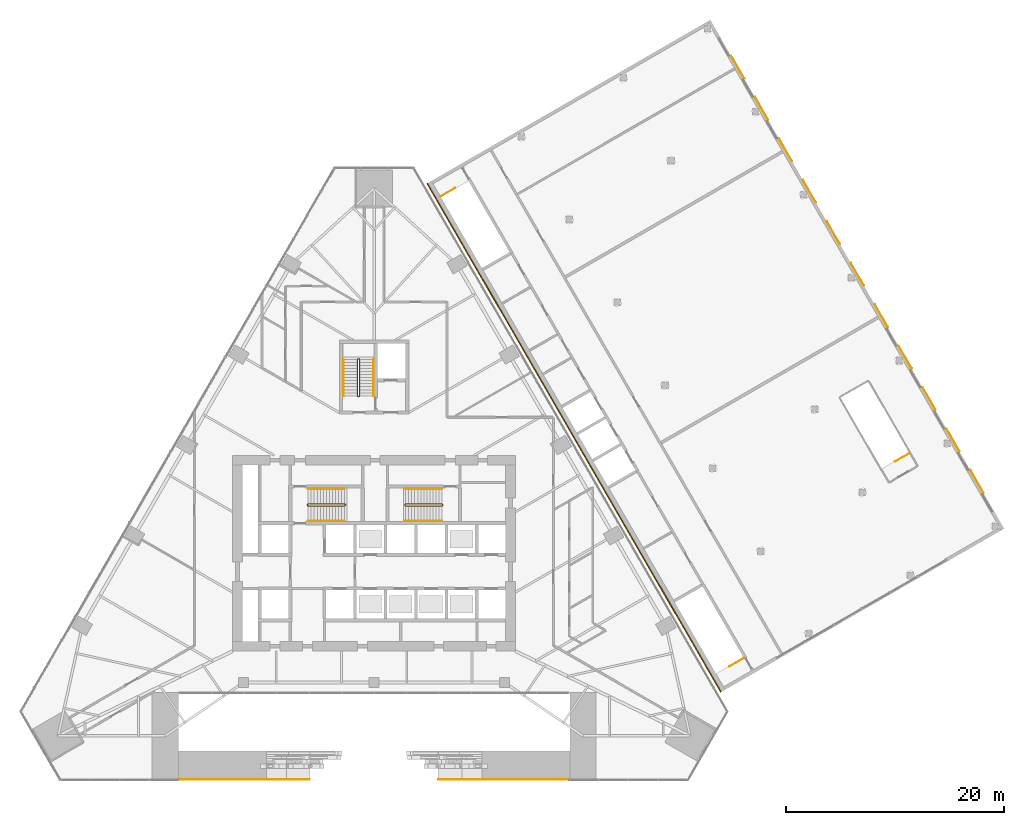
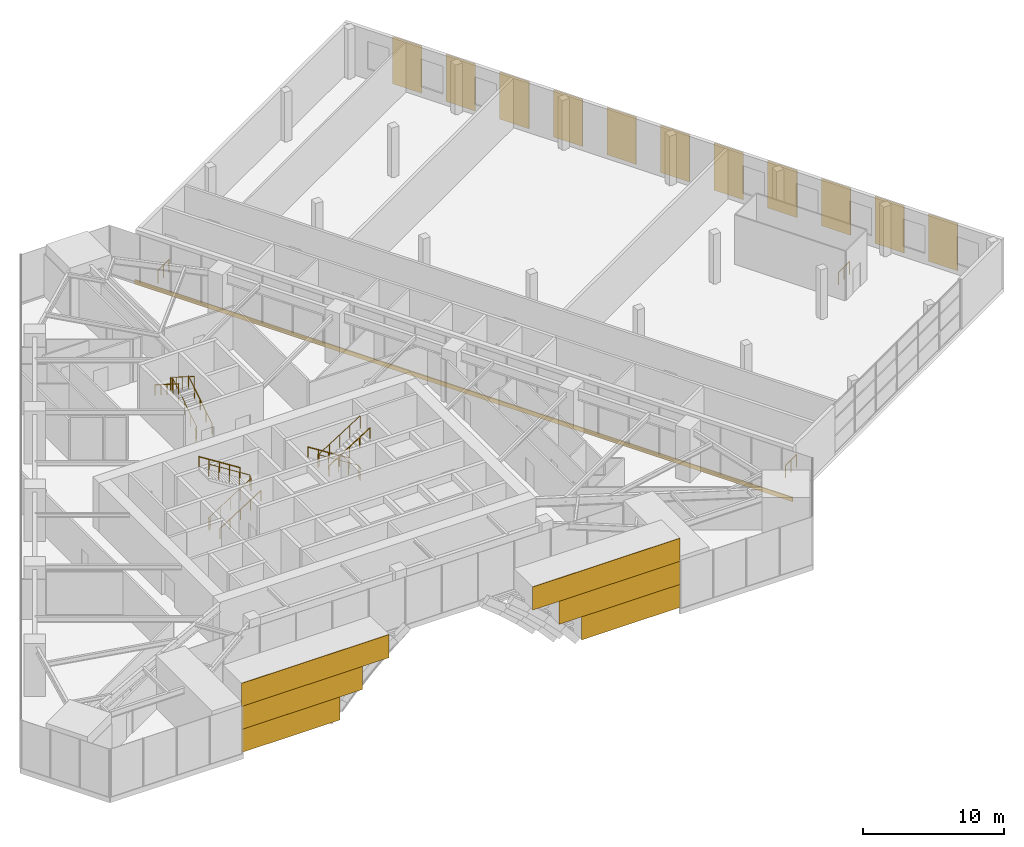
# One storey, part 22 of 23: 18 coverings, 12 railings.
"""IFC4 building model written with IfcOpenShell, lengths in metres."""

from ifc_helpers import new_model, si_unit, direction, frame, origin, origin_2d, place, context, subcontext, project, spatial, polyline, rectangle, circle, outline, extrude, material, layer, layer_set, type_object, element, save


model = new_model("IFC4")

# Units and contexts
model_context = context("Model", 3, precision=1e-05, world=origin(), true_north=direction((0.0, 1.0)))
body_context = subcontext(model_context, "Body", "Model", "MODEL_VIEW")
ifc_project = project(units=[si_unit("LENGTHUNIT", "METRE"), si_unit("AREAUNIT", "SQUARE_METRE"), si_unit("VOLUMEUNIT", "CUBIC_METRE"), si_unit("PLANEANGLEUNIT", "RADIAN"), si_unit("MASSUNIT", "GRAM", prefix="KILO")], contexts=[model_context])

# Site, building, storey
site_placement = place(None, origin())
site = spatial("IfcSite", under=ifc_project, at=site_placement, CompositionType="ELEMENT")
building_placement = place(site_placement, origin())
building = spatial("IfcBuilding", under=site, at=building_placement, Name="Firuza Gate Tower and Library", CompositionType="ELEMENT")
storey_placement = place(building_placement, frame((0.0, 0.0, 21.800048828125)))
storey = spatial("IfcBuildingStorey", under=building, at=storey_placement, Name="L04", CompositionType="ELEMENT", Elevation=21.800048828125)

# Coverings
ifc_material_1 = material(Name="Glazed ceramic tile")
ifc_layer_1 = layer(ifc_material_1, 0.0400390625)
ifc_layer_set_1 = layer_set([ifc_layer_1], Name="Glazed tile cladding 40")
covering_type_1 = type_object("IfcCoveringType", Name="Glazed tile cladding 40", PredefinedType="CLADDING", material=ifc_layer_set_1)
for number, where, z_axis, x_axis, name in (
    (1, (57.0, 54.17529296875, 0.199951171875), (0.0, -1.0, 0.0), (1.0, 0.0, 0.0), "Gate tile 21"),
    (2, (84.906005859375, 54.17529296875, 0.199951171875), (0.0, -1.0, 0.0), (1.0, 0.0, 0.0), "Gate tile 22"),
):
    element("IfcCovering", number, at=place(storey_placement, frame(where, z_axis=z_axis, x_axis=x_axis)), inside=storey, type_object=covering_type_1, Name=name, PredefinedType="CLADDING", context=body_context, shape_type="SweptSolid", body=[
        extrude(outline(polyline([(0.0, 0.0), (8.093994140625, 0.0), (8.093994140625, 2.0), (0.0, 2.0), (0.0, 0.0)])), origin(), (0.0, 0.0, -1.0), 0.0400390625),
    ])
for number, where, z_axis, x_axis, name in (
    (3, (57.0, 54.17529296875, 2.199951171875), (0.0, -1.0, 0.0), (1.0, 0.0, 0.0), "Gate tile 23"),
    (4, (83.06982421875, 54.17529296875, 2.199951171875), (0.0, -1.0, 0.0), (1.0, 0.0, 0.0), "Gate tile 24"),
):
    element("IfcCovering", number, at=place(storey_placement, frame(where, z_axis=z_axis, x_axis=x_axis)), inside=storey, type_object=covering_type_1, Name=name, PredefinedType="CLADDING", context=body_context, shape_type="SweptSolid", body=[
        extrude(outline(polyline([(0.0, 0.0), (9.93017578125, 0.0), (9.93017578125, 2.0), (0.0, 2.0), (0.0, 0.0)])), origin(), (0.0, 0.0, -1.0), 0.0400390625),
    ])
for number, where, z_axis, x_axis, name in (
    (5, (57.0, 54.17529296875, 4.199951171875), (0.0, -1.0, 0.0), (1.0, 0.0, 0.0), "Gate tile 25"),
    (6, (80.890625, 54.17529296875, 4.199951171875), (0.0, -1.0, 0.0), (1.0, 0.0, 0.0), "Gate tile 26"),
):
    element("IfcCovering", number, at=place(storey_placement, frame(where, z_axis=z_axis, x_axis=x_axis)), inside=storey, type_object=covering_type_1, Name=name, PredefinedType="CLADDING", context=body_context, shape_type="SweptSolid", body=[
        extrude(outline(polyline([(0.0, 0.0), (12.109375, 0.0), (12.109375, 2.0), (0.0, 2.0), (0.0, 0.0)])), origin(), (0.0, 0.0, -1.0), 0.0400390625),
    ])

# Railings
ifc_material_2 = material(Name="Steel S355", Category="steel")
railing_type_1 = type_object("IfcRailingType", Name="LIB GUARD", PredefinedType="GUARDRAIL", material=ifc_material_2)
railing_1_placement = place(storey_placement, frame((81.1044921875, 107.796142578125, 0.0)))
element("IfcRailing", 7, at=railing_1_placement, inside=storey, type_object=railing_type_1, Name="L04 LIB-ST-A top well guard 1", PredefinedType="GUARDRAIL", context=body_context, shape_type="SweptSolid", body=[
    extrude(circle(Radius=0.02392578125, at=origin_2d()), frame((0.0, 0.0, 1.076171875), z_axis=(0.866043940782, 0.499967891604, 0.0), x_axis=(-0.499967891604, 0.866043940782, 0.0)), (0.0, 0.0, 1.0), 1.5498046875),
    extrude(circle(Radius=0.02099609375, at=origin_2d()), origin(), (0.0, 0.0, 1.0), 1.052001953125),
    extrude(circle(Radius=0.02099609375, at=origin_2d()), frame((0.671142578125, 0.387451171875, 0.0)), (0.0, 0.0, 1.0), 1.052001953125),
    extrude(circle(Radius=0.02099609375, at=origin_2d()), frame((1.34228515625, 0.77490234375, 0.0)), (0.0, 0.0, 1.0), 1.052001953125),
])
railing_2_placement = place(storey_placement, frame((109.00927734375, 65.363525390625, 0.0)))
element("IfcRailing", 8, at=railing_2_placement, inside=storey, type_object=railing_type_1, Name="L04 LIB-ST-B top well guard 1", PredefinedType="GUARDRAIL", context=body_context, shape_type="SweptSolid", body=[
    extrude(circle(Radius=0.02392578125, at=origin_2d()), frame((0.0, 0.0, 1.076171875), z_axis=(-0.866083307622, -0.499899694197, 0.0), x_axis=(0.499899694197, -0.866083307622, 0.0)), (0.0, 0.0, 1.0), 1.550048828125),
    extrude(circle(Radius=0.02099609375, at=origin_2d()), origin(), (0.0, 0.0, 1.0), 1.052001953125),
    extrude(circle(Radius=0.02099609375, at=origin_2d()), frame((-0.67138671875, -0.387451171875, 0.0)), (0.0, 0.0, 1.0), 1.052001953125),
    extrude(circle(Radius=0.02099609375, at=origin_2d()), frame((-1.342529296875, -0.77490234375, 0.0)), (0.0, 0.0, 1.0), 1.052001953125),
])
railing_3_placement = place(storey_placement, frame((124.2314453125, 84.197998046875, 0.0)))
element("IfcRailing", 9, at=railing_3_placement, inside=storey, type_object=railing_type_1, Name="L04 LIB-ST-C top well guard 1", PredefinedType="GUARDRAIL", context=body_context, shape_type="SweptSolid", body=[
    extrude(circle(Radius=0.02392578125, at=origin_2d()), frame((0.0, 0.0, 1.076171875), z_axis=(-0.865975732936, -0.500086022567, 0.0), x_axis=(0.500086022567, -0.865975732936, 0.0)), (0.0, 0.0, 1.0), 1.550048828125),
    extrude(circle(Radius=0.02099609375, at=origin_2d()), origin(), (0.0, 0.0, 1.0), 1.052001953125),
    extrude(circle(Radius=0.02099609375, at=origin_2d()), frame((-0.671142578125, -0.3876953125, 0.0)), (0.0, 0.0, 1.0), 1.052001953125),
    extrude(circle(Radius=0.02099609375, at=origin_2d()), frame((-1.34228515625, -0.775146484375, 0.0)), (0.0, 0.0, 1.0), 1.052001953125),
])

# Coverings
ifc_material_3 = material(Name="Stainless steel 316", Category="steel")
ifc_layer_2 = layer(ifc_material_3, 0.10009765625)
ifc_layer_set_2 = layer_set([ifc_layer_2], Name="LIB JOINT COVER")
covering_type_2 = type_object("IfcCoveringType", Name="LIB JOINT COVER", PredefinedType="MOLDING", material=ifc_layer_set_2)
covering_placement = place(storey_placement, frame((93.3896484375, 85.6171875, -0.35986328125), z_axis=(0.0, 0.0, 1.0), x_axis=(-0.5, 0.866025403784, 0.0)))
element("IfcCovering", 10, at=covering_placement, inside=storey, type_object=covering_type_2, Name="Movement joint cover L04", PredefinedType="MOLDING", context=body_context, shape_type="SweptSolid", body=[
    extrude(rectangle(XDim=54.0, YDim=0.10009765625, at=origin_2d()), origin(), (0.0, 0.0, 1.0), 0.360107421875),
])
ifc_material_4 = material(Name="Turquoise glazed ceramic tile")
ifc_layer_3 = layer(ifc_material_4, 0.050048828125)
ifc_layer_set_3 = layer_set([ifc_layer_3], Name="LIB TILE CLADDING")
covering_type_3 = type_object("IfcCoveringType", Name="LIB TILE CLADDING", PredefinedType="CLADDING", material=ifc_layer_set_3)
for number, where, z_axis, x_axis, name in (
    (11, (130.435302734375, 81.602294921875, 0.099853515625), (0.0, 0.0, 1.0), (-0.5, 0.866025403784, 0.0), "L04 TILE panel 1"),
    (12, (126.035400390625, 89.223388671875, 0.099853515625), (0.0, 0.0, 1.0), (-0.5, 0.866025403784, 0.0), "L04 TILE panel 3"),
    (13, (121.635498046875, 96.84423828125, 0.099853515625), (0.0, 0.0, 1.0), (-0.5, 0.866025403784, 0.0), "L04 TILE panel 5"),
    (14, (117.2353515625, 104.46533203125, 0.099853515625), (0.0, 0.0, 1.0), (-0.5, 0.866025403784, 0.0), "L04 TILE panel 7"),
    (15, (112.83544921875, 112.086181640625, 0.099853515625), (0.0, 0.0, 1.0), (-0.5, 0.866025403784, 0.0), "L04 TILE panel 9"),
    (16, (108.435302734375, 119.70751953125, 0.099853515625), (0.0, 0.0, 1.0), (-0.5, 0.866025403784, 0.0), "L04 TILE panel 11"),
):
    element("IfcCovering", number, at=place(storey_placement, frame(where, z_axis=z_axis, x_axis=x_axis)), inside=storey, type_object=covering_type_3, Name=name, PredefinedType="CLADDING", context=body_context, shape_type="SweptSolid", body=[
        extrude(rectangle(XDim=2.39990234375, YDim=0.050048828125, at=origin_2d()), origin(), (0.0, 0.0, 1.0), 4.10009765625),
    ])
ifc_material_5 = material(Name="Cobalt glazed ceramic tile")
ifc_layer_4 = layer(ifc_material_5, 0.050048828125)
ifc_layer_set_4 = layer_set([ifc_layer_4], Name="LIB TILE CLADDING COBALT")
covering_type_4 = type_object("IfcCoveringType", Name="LIB TILE CLADDING COBALT", PredefinedType="CLADDING", material=ifc_layer_set_4)
for number, where, z_axis, x_axis, name in (
    (17, (128.2353515625, 85.412841796875, 0.099853515625), (0.0, 0.0, 1.0), (-0.5, 0.866025403784, 0.0), "L04 TILE panel 2"),
    (18, (123.83544921875, 93.03369140625, 0.099853515625), (0.0, 0.0, 1.0), (-0.5, 0.866025403784, 0.0), "L04 TILE panel 4"),
    (19, (119.435302734375, 100.65478515625, 0.099853515625), (0.0, 0.0, 1.0), (-0.5, 0.866025403784, 0.0), "L04 TILE panel 6"),
    (20, (115.035400390625, 108.27587890625, 0.099853515625), (0.0, 0.0, 1.0), (-0.5, 0.866025403784, 0.0), "L04 TILE panel 8"),
    (21, (110.635498046875, 115.89697265625, 0.099853515625), (0.0, 0.0, 1.0), (-0.5, 0.866025403784, 0.0), "L04 TILE panel 10"),
):
    element("IfcCovering", number, at=place(storey_placement, frame(where, z_axis=z_axis, x_axis=x_axis)), inside=storey, type_object=covering_type_4, Name=name, PredefinedType="CLADDING", context=body_context, shape_type="SweptSolid", body=[
        extrude(rectangle(XDim=2.39990234375, YDim=0.050048828125, at=origin_2d()), origin(), (0.0, 0.0, 1.0), 4.10009765625),
    ])

# Railings
ifc_material_6 = material(Name="Steel S355", Category="steel")
railing_type_2 = type_object("IfcRailingType", Name="Stair guard 1100", PredefinedType="GUARDRAIL", material=ifc_material_6)
railing_4_placement = place(storey_placement, frame((68.889892578125, 79.389892578125, 0.0)))
element("IfcRailing", 22, at=railing_4_placement, inside=storey, type_object=railing_type_2, Name="L04 ST1 stair guard 1", PredefinedType="GUARDRAIL", context=body_context, shape_type="SweptSolid", body=[
    extrude(circle(Radius=0.02392578125, at=origin_2d()), frame((0.0, 0.0, 1.076171875), z_axis=(0.0, 1.0, 0.0), x_axis=(-1.0, 0.0, 0.0)), (0.0, 0.0, 1.0), 0.10009765625),
    extrude(circle(Radius=0.02392578125, at=origin_2d()), frame((0.0, 0.10009765625, 1.076171875), z_axis=(0.21108270729, -0.632218450128, 0.745482341844), x_axis=(0.948528701346, 0.316691178788, 0.0)), (0.0, 0.0, 1.0), 0.237060546875),
    extrude(circle(Radius=0.02392578125, at=origin_2d()), frame((0.050048828125, -0.0498046875, 1.2529296875), z_axis=(0.845361898145, 0.0, 0.534194029511), x_axis=(0.0, 1.0, 0.0)), (0.0, 0.0, 1.0), 3.974853515625),
    extrude(circle(Radius=0.02392578125, at=origin_2d()), frame((3.41015625, -0.0498046875, 3.3759765625), z_axis=(0.708833529934, 0.705375805398, 0.0), x_axis=(-0.705375805398, 0.708833529934, 0.0)), (0.0, 0.0, 1.0), 0.070556640625),
    extrude(circle(Radius=0.02392578125, at=origin_2d()), frame((3.460205078125, 0.0, 3.3759765625), z_axis=(0.0, 1.0, 0.0), x_axis=(-1.0, 0.0, 0.0)), (0.0, 0.0, 1.0), 0.10009765625),
    extrude(circle(Radius=0.02392578125, at=origin_2d()), frame((3.460205078125, 0.10009765625, 3.3759765625), z_axis=(-0.262858103699, 0.262858103699, 0.928337888185), x_axis=(-0.707106781187, -0.707106781187, 0.0)), (0.0, 0.0, 1.0), 0.1904296875),
    extrude(circle(Radius=0.02392578125, at=origin_2d()), frame((3.41015625, 0.150146484375, 3.552734375), z_axis=(-0.845389635667, 0.0, 0.534150132366), x_axis=(0.0, -1.0, 0.0)), (0.0, 0.0, 1.0), 3.974609375),
    extrude(circle(Radius=0.02099609375, at=origin_2d()), origin(), (0.0, 0.0, 1.0), 1.052001953125),
    extrude(circle(Radius=0.02099609375, at=origin_2d()), frame((0.0, 0.10009765625, 0.0)), (0.0, 0.0, 1.0), 1.052001953125),
    extrude(circle(Radius=0.02099609375, at=origin_2d()), frame((0.050048828125, -0.0498046875, 0.1767578125)), (0.0, 0.0, 1.0), 1.052001953125),
    extrude(circle(Radius=0.02099609375, at=origin_2d()), frame((0.89013671875, -0.0498046875, 0.70751953125)), (0.0, 0.0, 1.0), 1.052001953125),
    extrude(circle(Radius=0.02099609375, at=origin_2d()), frame((1.72998046875, -0.0498046875, 1.23828125)), (0.0, 0.0, 1.0), 1.052001953125),
    extrude(circle(Radius=0.02099609375, at=origin_2d()), frame((2.570068359375, -0.0498046875, 1.769287109375)), (0.0, 0.0, 1.0), 1.052001953125),
    extrude(circle(Radius=0.02099609375, at=origin_2d()), frame((3.41015625, -0.0498046875, 2.300048828125)), (0.0, 0.0, 1.0), 1.052001953125),
    extrude(circle(Radius=0.02099609375, at=origin_2d()), frame((3.460205078125, 0.0, 2.300048828125)), (0.0, 0.0, 1.0), 1.052001953125),
    extrude(circle(Radius=0.02099609375, at=origin_2d()), frame((3.460205078125, 0.10009765625, 2.300048828125)), (0.0, 0.0, 1.0), 1.052001953125),
    extrude(circle(Radius=0.02099609375, at=origin_2d()), frame((3.41015625, 0.150146484375, 2.476806640625)), (0.0, 0.0, 1.0), 1.052001953125),
    extrude(circle(Radius=0.02099609375, at=origin_2d()), frame((2.570068359375, 0.150146484375, 3.007568359375)), (0.0, 0.0, 1.0), 1.052001953125),
    extrude(circle(Radius=0.02099609375, at=origin_2d()), frame((1.72998046875, 0.150146484375, 3.538330078125)), (0.0, 0.0, 1.0), 1.052001953125),
    extrude(circle(Radius=0.02099609375, at=origin_2d()), frame((0.89013671875, 0.150146484375, 4.069091796875)), (0.0, 0.0, 1.0), 1.052001953125),
    extrude(circle(Radius=0.02099609375, at=origin_2d()), frame((0.050048828125, 0.150146484375, 4.599853515625)), (0.0, 0.0, 1.0), 1.052001953125),
])
railing_5_placement = place(storey_placement, frame((81.31005859375, 79.489990234375, 0.0)))
element("IfcRailing", 23, at=railing_5_placement, inside=storey, type_object=railing_type_2, Name="L04 ST2 stair guard 1", PredefinedType="GUARDRAIL", context=body_context, shape_type="SweptSolid", body=[
    extrude(circle(Radius=0.02392578125, at=origin_2d()), frame((0.0, 0.0, 1.076171875), z_axis=(0.0, -1.0, 0.0), x_axis=(1.0, 0.0, 0.0)), (0.0, 0.0, 1.0), 0.10009765625),
    extrude(circle(Radius=0.02392578125, at=origin_2d()), frame((0.0, -0.10009765625, 1.076171875), z_axis=(-0.210945319554, 0.632835958663, 0.744997128572), x_axis=(-0.948683298051, -0.316227766017, 0.0)), (0.0, 0.0, 1.0), 0.2373046875),
    extrude(circle(Radius=0.02392578125, at=origin_2d()), frame((-0.050048828125, 0.050048828125, 1.2529296875), z_axis=(-0.845361898145, 0.0, 0.534194029511), x_axis=(0.0, -1.0, 0.0)), (0.0, 0.0, 1.0), 3.974853515625),
    extrude(circle(Radius=0.02392578125, at=origin_2d()), frame((-3.41015625, 0.050048828125, 3.3759765625), z_axis=(-0.705375805398, -0.708833529934, 0.0), x_axis=(0.708833529934, -0.705375805398, 0.0)), (0.0, 0.0, 1.0), 0.070556640625),
    extrude(circle(Radius=0.02392578125, at=origin_2d()), frame((-3.4599609375, 0.0, 3.3759765625), z_axis=(0.0, -1.0, 0.0), x_axis=(1.0, 0.0, 0.0)), (0.0, 0.0, 1.0), 0.10009765625),
    extrude(circle(Radius=0.02392578125, at=origin_2d()), frame((-3.4599609375, -0.10009765625, 3.3759765625), z_axis=(0.261751942683, -0.261751942683, 0.928962776974), x_axis=(0.707106781187, 0.707106781187, 0.0)), (0.0, 0.0, 1.0), 0.190185546875),
    extrude(circle(Radius=0.02392578125, at=origin_2d()), frame((-3.41015625, -0.14990234375, 3.552734375), z_axis=(0.845389635667, 0.0, 0.534150132366), x_axis=(0.0, 1.0, 0.0)), (0.0, 0.0, 1.0), 3.974609375),
    extrude(circle(Radius=0.02099609375, at=origin_2d()), origin(), (0.0, 0.0, 1.0), 1.052001953125),
    extrude(circle(Radius=0.02099609375, at=origin_2d()), frame((0.0, -0.10009765625, 0.0)), (0.0, 0.0, 1.0), 1.052001953125),
    extrude(circle(Radius=0.02099609375, at=origin_2d()), frame((-0.050048828125, 0.050048828125, 0.1767578125)), (0.0, 0.0, 1.0), 1.052001953125),
    extrude(circle(Radius=0.02099609375, at=origin_2d()), frame((-0.89013671875, 0.050048828125, 0.70751953125)), (0.0, 0.0, 1.0), 1.052001953125),
    extrude(circle(Radius=0.02099609375, at=origin_2d()), frame((-1.72998046875, 0.050048828125, 1.23828125)), (0.0, 0.0, 1.0), 1.052001953125),
    extrude(circle(Radius=0.02099609375, at=origin_2d()), frame((-2.570068359375, 0.050048828125, 1.769287109375)), (0.0, 0.0, 1.0), 1.052001953125),
    extrude(circle(Radius=0.02099609375, at=origin_2d()), frame((-3.41015625, 0.050048828125, 2.300048828125)), (0.0, 0.0, 1.0), 1.052001953125),
    extrude(circle(Radius=0.02099609375, at=origin_2d()), frame((-3.4599609375, 0.0, 2.300048828125)), (0.0, 0.0, 1.0), 1.052001953125),
    extrude(circle(Radius=0.02099609375, at=origin_2d()), frame((-3.4599609375, -0.10009765625, 2.300048828125)), (0.0, 0.0, 1.0), 1.052001953125),
    extrude(circle(Radius=0.02099609375, at=origin_2d()), frame((-3.41015625, -0.14990234375, 2.476806640625)), (0.0, 0.0, 1.0), 1.052001953125),
    extrude(circle(Radius=0.02099609375, at=origin_2d()), frame((-2.570068359375, -0.14990234375, 3.007568359375)), (0.0, 0.0, 1.0), 1.052001953125),
    extrude(circle(Radius=0.02099609375, at=origin_2d()), frame((-1.72998046875, -0.14990234375, 3.538330078125)), (0.0, 0.0, 1.0), 1.052001953125),
    extrude(circle(Radius=0.02099609375, at=origin_2d()), frame((-0.89013671875, -0.14990234375, 4.069091796875)), (0.0, 0.0, 1.0), 1.052001953125),
    extrude(circle(Radius=0.02099609375, at=origin_2d()), frame((-0.050048828125, -0.14990234375, 4.599853515625)), (0.0, 0.0, 1.0), 1.052001953125),
])
railing_6_placement = place(storey_placement, frame((73.6298828125, 89.419921875, 0.0)))
element("IfcRailing", 24, at=railing_6_placement, inside=storey, type_object=railing_type_2, Name="L04 ST3 stair guard 1", PredefinedType="GUARDRAIL", context=body_context, shape_type="SweptSolid", body=[
    extrude(circle(Radius=0.02392578125, at=origin_2d()), frame((0.0, 0.0, 1.076171875), z_axis=(-1.0, 0.0, 0.0), x_axis=(0.0, -1.0, 0.0)), (0.0, 0.0, 1.0), 0.099853515625),
    extrude(circle(Radius=0.02392578125, at=origin_2d()), frame((-0.099853515625, 0.0, 1.076171875), z_axis=(0.632218450128, 0.21108270729, 0.745482341844), x_axis=(-0.316691178788, 0.948528701346, 0.0)), (0.0, 0.0, 1.0), 0.237060546875),
    extrude(circle(Radius=0.02392578125, at=origin_2d()), frame((0.050048828125, 0.050048828125, 1.2529296875), z_axis=(0.0, 0.845361898145, 0.534194029511), x_axis=(-1.0, 0.0, 0.0)), (0.0, 0.0, 1.0), 3.974853515625),
    extrude(circle(Radius=0.02392578125, at=origin_2d()), frame((0.050048828125, 3.41015625, 3.3759765625), z_axis=(-0.708833529934, 0.705375805398, 0.0), x_axis=(-0.705375805398, -0.708833529934, 0.0)), (0.0, 0.0, 1.0), 0.070556640625),
    extrude(circle(Radius=0.02392578125, at=origin_2d()), frame((0.0, 3.4599609375, 3.3759765625), z_axis=(-1.0, 0.0, 0.0), x_axis=(0.0, -1.0, 0.0)), (0.0, 0.0, 1.0), 0.099853515625),
    extrude(circle(Radius=0.02392578125, at=origin_2d()), frame((-0.099853515625, 3.4599609375, 3.3759765625), z_axis=(-0.262946527422, -0.261663861435, 0.928650174897), x_axis=(0.705375805398, -0.708833529934, 0.0)), (0.0, 0.0, 1.0), 0.1904296875),
    extrude(circle(Radius=0.02392578125, at=origin_2d()), frame((-0.14990234375, 3.41015625, 3.552734375), z_axis=(0.0, -0.845389635667, 0.534150132366), x_axis=(1.0, 0.0, 0.0)), (0.0, 0.0, 1.0), 3.974609375),
    extrude(circle(Radius=0.02099609375, at=origin_2d()), origin(), (0.0, 0.0, 1.0), 1.052001953125),
    extrude(circle(Radius=0.02099609375, at=origin_2d()), frame((-0.099853515625, 0.0, 0.0)), (0.0, 0.0, 1.0), 1.052001953125),
    extrude(circle(Radius=0.02099609375, at=origin_2d()), frame((0.050048828125, 0.050048828125, 0.1767578125)), (0.0, 0.0, 1.0), 1.052001953125),
    extrude(circle(Radius=0.02099609375, at=origin_2d()), frame((0.050048828125, 0.89013671875, 0.70751953125)), (0.0, 0.0, 1.0), 1.052001953125),
    extrude(circle(Radius=0.02099609375, at=origin_2d()), frame((0.050048828125, 1.72998046875, 1.23828125)), (0.0, 0.0, 1.0), 1.052001953125),
    extrude(circle(Radius=0.02099609375, at=origin_2d()), frame((0.050048828125, 2.570068359375, 1.769287109375)), (0.0, 0.0, 1.0), 1.052001953125),
    extrude(circle(Radius=0.02099609375, at=origin_2d()), frame((0.050048828125, 3.41015625, 2.300048828125)), (0.0, 0.0, 1.0), 1.052001953125),
    extrude(circle(Radius=0.02099609375, at=origin_2d()), frame((0.0, 3.4599609375, 2.300048828125)), (0.0, 0.0, 1.0), 1.052001953125),
    extrude(circle(Radius=0.02099609375, at=origin_2d()), frame((-0.099853515625, 3.4599609375, 2.300048828125)), (0.0, 0.0, 1.0), 1.052001953125),
    extrude(circle(Radius=0.02099609375, at=origin_2d()), frame((-0.14990234375, 3.41015625, 2.476806640625)), (0.0, 0.0, 1.0), 1.052001953125),
    extrude(circle(Radius=0.02099609375, at=origin_2d()), frame((-0.14990234375, 2.570068359375, 3.007568359375)), (0.0, 0.0, 1.0), 1.052001953125),
    extrude(circle(Radius=0.02099609375, at=origin_2d()), frame((-0.14990234375, 1.72998046875, 3.538330078125)), (0.0, 0.0, 1.0), 1.052001953125),
    extrude(circle(Radius=0.02099609375, at=origin_2d()), frame((-0.14990234375, 0.89013671875, 4.069091796875)), (0.0, 0.0, 1.0), 1.052001953125),
    extrude(circle(Radius=0.02099609375, at=origin_2d()), frame((-0.14990234375, 0.050048828125, 4.599853515625)), (0.0, 0.0, 1.0), 1.052001953125),
])
ifc_material_7 = material(Name="Steel S355", Category="steel")
railing_type_3 = type_object("IfcRailingType", Name="Stair handrail 900", PredefinedType="HANDRAIL", material=ifc_material_7)
railing_7_placement = place(storey_placement, frame((68.93994140625, 77.949951171875, 0.1767578125)))
element("IfcRailing", 25, at=railing_7_placement, inside=storey, type_object=railing_type_3, Name="L04 ST1 stair handrail 1", PredefinedType="HANDRAIL", context=body_context, shape_type="SweptSolid", body=[
    extrude(circle(Radius=0.02392578125, at=origin_2d()), frame((0.0, 0.0, 0.8759765625), z_axis=(0.845361898145, 0.0, 0.534194029511), x_axis=(0.0, 1.0, 0.0)), (0.0, 0.0, 1.0), 3.974853515625),
    extrude(circle(Radius=0.02099609375, at=origin_2d()), origin(), (0.0, 0.0, 1.0), 0.851806640625),
    extrude(circle(Radius=0.02099609375, at=origin_2d()), frame((0.840087890625, 0.0, 0.53076171875)), (0.0, 0.0, 1.0), 0.851806640625),
    extrude(circle(Radius=0.02099609375, at=origin_2d()), frame((1.68017578125, 0.0, 1.0615234375)), (0.0, 0.0, 1.0), 0.851806640625),
    extrude(circle(Radius=0.02099609375, at=origin_2d()), frame((2.52001953125, 0.0, 1.592529296875)), (0.0, 0.0, 1.0), 0.851806640625),
    extrude(circle(Radius=0.02099609375, at=origin_2d()), frame((3.360107421875, 0.0, 2.123291015625)), (0.0, 0.0, 1.0), 0.851806640625),
])
railing_8_placement = place(storey_placement, frame((72.300048828125, 80.929931640625, 2.476806640625)))
element("IfcRailing", 26, at=railing_8_placement, inside=storey, type_object=railing_type_3, Name="L04 ST1 stair handrail 2", PredefinedType="HANDRAIL", context=body_context, shape_type="SweptSolid", body=[
    extrude(circle(Radius=0.02392578125, at=origin_2d()), frame((0.0, 0.0, 0.8759765625), z_axis=(-0.845389635667, 0.0, 0.534150132366), x_axis=(0.0, -1.0, 0.0)), (0.0, 0.0, 1.0), 3.974609375),
    extrude(circle(Radius=0.02099609375, at=origin_2d()), origin(), (0.0, 0.0, 1.0), 0.851806640625),
    extrude(circle(Radius=0.02099609375, at=origin_2d()), frame((-0.840087890625, 0.0, 0.53076171875)), (0.0, 0.0, 1.0), 0.851806640625),
    extrude(circle(Radius=0.02099609375, at=origin_2d()), frame((-1.68017578125, 0.0, 1.0615234375)), (0.0, 0.0, 1.0), 0.851806640625),
    extrude(circle(Radius=0.02099609375, at=origin_2d()), frame((-2.52001953125, 0.0, 1.59228515625)), (0.0, 0.0, 1.0), 0.851806640625),
    extrude(circle(Radius=0.02099609375, at=origin_2d()), frame((-3.360107421875, 0.0, 2.123046875)), (0.0, 0.0, 1.0), 0.851806640625),
])
railing_9_placement = place(storey_placement, frame((81.260009765625, 80.929931640625, 0.1767578125)))
element("IfcRailing", 27, at=railing_9_placement, inside=storey, type_object=railing_type_3, Name="L04 ST2 stair handrail 1", PredefinedType="HANDRAIL", context=body_context, shape_type="SweptSolid", body=[
    extrude(circle(Radius=0.02392578125, at=origin_2d()), frame((0.0, 0.0, 0.8759765625), z_axis=(-0.845361898145, 0.0, 0.534194029511), x_axis=(0.0, -1.0, 0.0)), (0.0, 0.0, 1.0), 3.974853515625),
    extrude(circle(Radius=0.02099609375, at=origin_2d()), origin(), (0.0, 0.0, 1.0), 0.851806640625),
    extrude(circle(Radius=0.02099609375, at=origin_2d()), frame((-0.840087890625, 0.0, 0.53076171875)), (0.0, 0.0, 1.0), 0.851806640625),
    extrude(circle(Radius=0.02099609375, at=origin_2d()), frame((-1.68017578125, 0.0, 1.0615234375)), (0.0, 0.0, 1.0), 0.851806640625),
    extrude(circle(Radius=0.02099609375, at=origin_2d()), frame((-2.52001953125, 0.0, 1.592529296875)), (0.0, 0.0, 1.0), 0.851806640625),
    extrude(circle(Radius=0.02099609375, at=origin_2d()), frame((-3.360107421875, 0.0, 2.123291015625)), (0.0, 0.0, 1.0), 0.851806640625),
])
railing_10_placement = place(storey_placement, frame((77.89990234375, 77.949951171875, 2.476806640625)))
element("IfcRailing", 28, at=railing_10_placement, inside=storey, type_object=railing_type_3, Name="L04 ST2 stair handrail 2", PredefinedType="HANDRAIL", context=body_context, shape_type="SweptSolid", body=[
    extrude(circle(Radius=0.02392578125, at=origin_2d()), frame((0.0, 0.0, 0.8759765625), z_axis=(0.845389635667, 0.0, 0.534150132366), x_axis=(0.0, 1.0, 0.0)), (0.0, 0.0, 1.0), 3.974609375),
    extrude(circle(Radius=0.02099609375, at=origin_2d()), origin(), (0.0, 0.0, 1.0), 0.851806640625),
    extrude(circle(Radius=0.02099609375, at=origin_2d()), frame((0.840087890625, 0.0, 0.53076171875)), (0.0, 0.0, 1.0), 0.851806640625),
    extrude(circle(Radius=0.02099609375, at=origin_2d()), frame((1.68017578125, 0.0, 1.0615234375)), (0.0, 0.0, 1.0), 0.851806640625),
    extrude(circle(Radius=0.02099609375, at=origin_2d()), frame((2.52001953125, 0.0, 1.59228515625)), (0.0, 0.0, 1.0), 0.851806640625),
    extrude(circle(Radius=0.02099609375, at=origin_2d()), frame((3.360107421875, 0.0, 2.123046875)), (0.0, 0.0, 1.0), 0.851806640625),
])
railing_11_placement = place(storey_placement, frame((74.949951171875, 89.469970703125, 0.1767578125)))
element("IfcRailing", 29, at=railing_11_placement, inside=storey, type_object=railing_type_3, Name="L04 ST3 stair handrail 1", PredefinedType="HANDRAIL", context=body_context, shape_type="SweptSolid", body=[
    extrude(circle(Radius=0.02392578125, at=origin_2d()), frame((0.0, 0.0, 0.8759765625), z_axis=(0.0, 0.845361898145, 0.534194029511), x_axis=(-1.0, 0.0, 0.0)), (0.0, 0.0, 1.0), 3.974853515625),
    extrude(circle(Radius=0.02099609375, at=origin_2d()), origin(), (0.0, 0.0, 1.0), 0.851806640625),
    extrude(circle(Radius=0.02099609375, at=origin_2d()), frame((0.0, 0.840087890625, 0.53076171875)), (0.0, 0.0, 1.0), 0.851806640625),
    extrude(circle(Radius=0.02099609375, at=origin_2d()), frame((0.0, 1.68017578125, 1.0615234375)), (0.0, 0.0, 1.0), 0.851806640625),
    extrude(circle(Radius=0.02099609375, at=origin_2d()), frame((0.0, 2.52001953125, 1.592529296875)), (0.0, 0.0, 1.0), 0.851806640625),
    extrude(circle(Radius=0.02099609375, at=origin_2d()), frame((0.0, 3.360107421875, 2.123291015625)), (0.0, 0.0, 1.0), 0.851806640625),
])
railing_12_placement = place(storey_placement, frame((72.2099609375, 92.830078125, 2.476806640625)))
element("IfcRailing", 30, at=railing_12_placement, inside=storey, type_object=railing_type_3, Name="L04 ST3 stair handrail 2", PredefinedType="HANDRAIL", context=body_context, shape_type="SweptSolid", body=[
    extrude(circle(Radius=0.02392578125, at=origin_2d()), frame((0.0, 0.0, 0.8759765625), z_axis=(0.0, -0.845389635667, 0.534150132366), x_axis=(1.0, 0.0, 0.0)), (0.0, 0.0, 1.0), 3.974609375),
    extrude(circle(Radius=0.02099609375, at=origin_2d()), origin(), (0.0, 0.0, 1.0), 0.851806640625),
    extrude(circle(Radius=0.02099609375, at=origin_2d()), frame((0.0, -0.840087890625, 0.53076171875)), (0.0, 0.0, 1.0), 0.851806640625),
    extrude(circle(Radius=0.02099609375, at=origin_2d()), frame((0.0, -1.68017578125, 1.0615234375)), (0.0, 0.0, 1.0), 0.851806640625),
    extrude(circle(Radius=0.02099609375, at=origin_2d()), frame((0.0, -2.52001953125, 1.59228515625)), (0.0, 0.0, 1.0), 0.851806640625),
    extrude(circle(Radius=0.02099609375, at=origin_2d()), frame((0.0, -3.360107421875, 2.123046875)), (0.0, 0.0, 1.0), 0.851806640625),
])

save(model, "model.ifc")
